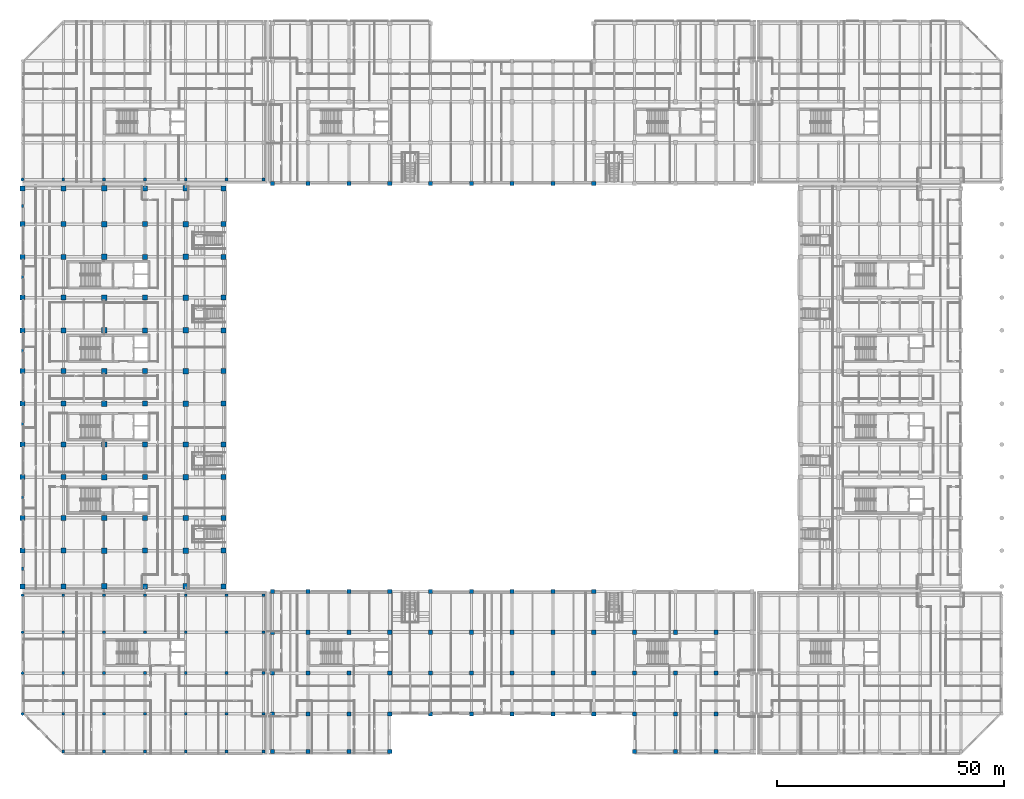
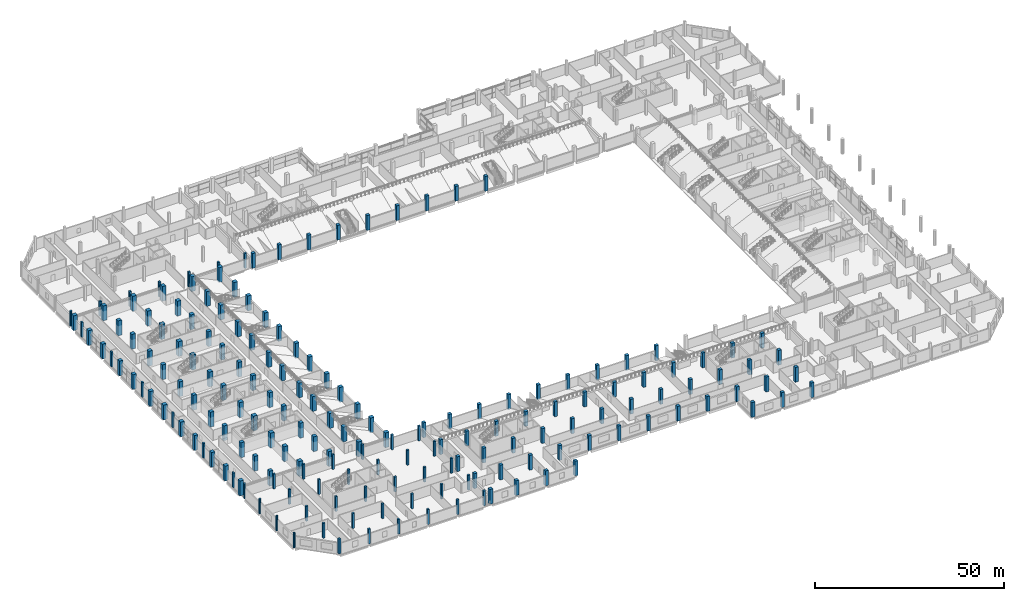
# One storey, part 1 of 100: 180 columns.
"""IFC4 building model written with IfcOpenShell, lengths in metres."""

from ifc_helpers import new_model, si_unit, direction, frame, origin, origin_2d, place, context, subcontext, project, spatial, rectangle, circle, extrude, material, material_profile, profile_set, type_object, element, save


model = new_model("IFC4")

# Units and contexts
model_context = context("Model", 3, precision=1e-05, world=origin(), true_north=direction((0.0, 1.0)))
body_context = subcontext(model_context, "Body", "Model", "MODEL_VIEW")
ifc_project = project(units=[si_unit("LENGTHUNIT", "METRE"), si_unit("AREAUNIT", "SQUARE_METRE"), si_unit("VOLUMEUNIT", "CUBIC_METRE"), si_unit("PLANEANGLEUNIT", "RADIAN"), si_unit("MASSUNIT", "GRAM", prefix="KILO"), si_unit("THERMODYNAMICTEMPERATUREUNIT", "KELVIN"), si_unit("POWERUNIT", "WATT")], contexts=[model_context])

# Site, building, storey
site_placement = place(None, origin())
site = spatial("IfcSite", under=ifc_project, at=site_placement, CompositionType="ELEMENT")
building_placement = place(site_placement, origin())
building = spatial("IfcBuilding", under=site, at=building_placement, Name="Sindhuravela Promenade Stadium", CompositionType="ELEMENT")
storey_placement = place(building_placement, frame((0.0, 0.0, 4.800048828125)))
storey = spatial("IfcBuildingStorey", under=building, at=storey_placement, Name="L01", CompositionType="ELEMENT", Elevation=4.800048828125)

# Columns
ifc_material_1 = material(Name="Concrete M50", Category="concrete")
ifc_material_profile_1 = material_profile(ifc_material_1, rectangle(XDim=1.10009765625, YDim=1.10009765625, at=origin_2d()), Name="RC 1100x1100")
ifc_profile_set_1 = profile_set([ifc_material_profile_1], Name="Concrete M50")
column_type_1 = type_object("IfcColumnType", Name="RC-CL-1100x1100", PredefinedType="COLUMN", material=ifc_profile_set_1)
for number, where, z_axis, x_axis, name in (
    (1, (0.0, 37.10009765625, 0.0), (0.0, 0.0, 1.0), (1.0, 0.0, 0.0), "Column C04 WEST L01"),
    (2, (0.0, 45.0, 0.0), (0.0, 0.0, 1.0), (1.0, 0.0, 0.0), "Column C04 WEST L01"),
    (3, (0.0, 52.199951171875, 0.0), (0.0, 0.0, 1.0), (1.0, 0.0, 0.0), "Column C04 WEST L01"),
    (4, (0.0, 61.199951171875, 0.0), (0.0, 0.0, 1.0), (1.0, 0.0, 0.0), "Column C04 WEST L01"),
    (5, (0.0, 68.39990234375, 0.0), (0.0, 0.0, 1.0), (1.0, 0.0, 0.0), "Column C04 WEST L01"),
    (6, (0.0, 77.39990234375, 0.0), (0.0, 0.0, 1.0), (1.0, 0.0, 0.0), "Column C04 WEST L01"),
    (7, (0.0, 84.60009765625, 0.0), (0.0, 0.0, 1.0), (1.0, 0.0, 0.0), "Column C04 WEST L01"),
    (8, (0.0, 93.60009765625, 0.0), (0.0, 0.0, 1.0), (1.0, 0.0, 0.0), "Column C04 WEST L01"),
    (9, (0.0, 100.800048828125, 0.0), (0.0, 0.0, 1.0), (1.0, 0.0, 0.0), "Column C04 WEST L01"),
    (10, (0.0, 109.800048828125, 0.0), (0.0, 0.0, 1.0), (1.0, 0.0, 0.0), "Column C04 WEST L01"),
    (11, (0.0, 117.0, 0.0), (0.0, 0.0, 1.0), (1.0, 0.0, 0.0), "Column C04 WEST L01"),
    (12, (0.0, 124.89990234375, 0.0), (0.0, 0.0, 1.0), (1.0, 0.0, 0.0), "Column C04 WEST L01"),
    (13, (9.0, 37.10009765625, 0.0), (0.0, 0.0, 1.0), (1.0, 0.0, 0.0), "Column C04 WEST L01"),
    (14, (9.0, 45.0, 0.0), (0.0, 0.0, 1.0), (1.0, 0.0, 0.0), "Column C04 WEST L01"),
    (15, (9.0, 52.199951171875, 0.0), (0.0, 0.0, 1.0), (1.0, 0.0, 0.0), "Column C04 WEST L01"),
    (16, (9.0, 61.199951171875, 0.0), (0.0, 0.0, 1.0), (1.0, 0.0, 0.0), "Column C04 WEST L01"),
    (17, (9.0, 68.39990234375, 0.0), (0.0, 0.0, 1.0), (1.0, 0.0, 0.0), "Column C04 WEST L01"),
    (18, (9.0, 77.39990234375, 0.0), (0.0, 0.0, 1.0), (1.0, 0.0, 0.0), "Column C04 WEST L01"),
    (19, (9.0, 84.60009765625, 0.0), (0.0, 0.0, 1.0), (1.0, 0.0, 0.0), "Column C04 WEST L01"),
    (20, (9.0, 93.60009765625, 0.0), (0.0, 0.0, 1.0), (1.0, 0.0, 0.0), "Column C04 WEST L01"),
    (21, (9.0, 100.800048828125, 0.0), (0.0, 0.0, 1.0), (1.0, 0.0, 0.0), "Column C04 WEST L01"),
    (22, (9.0, 109.800048828125, 0.0), (0.0, 0.0, 1.0), (1.0, 0.0, 0.0), "Column C04 WEST L01"),
    (23, (9.0, 117.0, 0.0), (0.0, 0.0, 1.0), (1.0, 0.0, 0.0), "Column C04 WEST L01"),
    (24, (9.0, 124.89990234375, 0.0), (0.0, 0.0, 1.0), (1.0, 0.0, 0.0), "Column C04 WEST L01"),
    (25, (27.0, 37.10009765625, 0.0), (0.0, 0.0, 1.0), (1.0, 0.0, 0.0), "Column C04 WEST L01"),
    (26, (27.0, 45.0, 0.0), (0.0, 0.0, 1.0), (1.0, 0.0, 0.0), "Column C04 WEST L01"),
    (27, (27.0, 52.199951171875, 0.0), (0.0, 0.0, 1.0), (1.0, 0.0, 0.0), "Column C04 WEST L01"),
    (28, (27.0, 61.199951171875, 0.0), (0.0, 0.0, 1.0), (1.0, 0.0, 0.0), "Column C04 WEST L01"),
    (29, (27.0, 68.39990234375, 0.0), (0.0, 0.0, 1.0), (1.0, 0.0, 0.0), "Column C04 WEST L01"),
    (30, (27.0, 77.39990234375, 0.0), (0.0, 0.0, 1.0), (1.0, 0.0, 0.0), "Column C04 WEST L01"),
    (31, (27.0, 84.60009765625, 0.0), (0.0, 0.0, 1.0), (1.0, 0.0, 0.0), "Column C04 WEST L01"),
    (32, (27.0, 93.60009765625, 0.0), (0.0, 0.0, 1.0), (1.0, 0.0, 0.0), "Column C04 WEST L01"),
    (33, (27.0, 100.800048828125, 0.0), (0.0, 0.0, 1.0), (1.0, 0.0, 0.0), "Column C04 WEST L01"),
    (34, (27.0, 109.800048828125, 0.0), (0.0, 0.0, 1.0), (1.0, 0.0, 0.0), "Column C04 WEST L01"),
    (35, (27.0, 117.0, 0.0), (0.0, 0.0, 1.0), (1.0, 0.0, 0.0), "Column C04 WEST L01"),
    (36, (27.0, 124.89990234375, 0.0), (0.0, 0.0, 1.0), (1.0, 0.0, 0.0), "Column C04 WEST L01"),
    (37, (44.300048828125, 37.10009765625, 0.0), (0.0, 0.0, 1.0), (1.0, 0.0, 0.0), "Column C04 WEST L01"),
    (38, (44.300048828125, 45.0, 0.0), (0.0, 0.0, 1.0), (1.0, 0.0, 0.0), "Column C04 WEST L01"),
    (39, (44.300048828125, 52.199951171875, 0.0), (0.0, 0.0, 1.0), (1.0, 0.0, 0.0), "Column C04 WEST L01"),
    (40, (44.300048828125, 61.199951171875, 0.0), (0.0, 0.0, 1.0), (1.0, 0.0, 0.0), "Column C04 WEST L01"),
    (41, (44.300048828125, 68.39990234375, 0.0), (0.0, 0.0, 1.0), (1.0, 0.0, 0.0), "Column C04 WEST L01"),
    (42, (44.300048828125, 77.39990234375, 0.0), (0.0, 0.0, 1.0), (1.0, 0.0, 0.0), "Column C04 WEST L01"),
    (43, (44.300048828125, 84.60009765625, 0.0), (0.0, 0.0, 1.0), (1.0, 0.0, 0.0), "Column C04 WEST L01"),
    (44, (44.300048828125, 93.60009765625, 0.0), (0.0, 0.0, 1.0), (1.0, 0.0, 0.0), "Column C04 WEST L01"),
    (45, (44.300048828125, 100.800048828125, 0.0), (0.0, 0.0, 1.0), (1.0, 0.0, 0.0), "Column C04 WEST L01"),
    (46, (44.300048828125, 109.800048828125, 0.0), (0.0, 0.0, 1.0), (1.0, 0.0, 0.0), "Column C04 WEST L01"),
    (47, (44.300048828125, 117.0, 0.0), (0.0, 0.0, 1.0), (1.0, 0.0, 0.0), "Column C04 WEST L01"),
    (48, (44.300048828125, 124.89990234375, 0.0), (0.0, 0.0, 1.0), (1.0, 0.0, 0.0), "Column C04 WEST L01"),
):
    element("IfcColumn", number, at=place(storey_placement, frame(where, z_axis=z_axis, x_axis=x_axis)), inside=storey, type_object=column_type_1, Name=name, PredefinedType="COLUMN", context=body_context, shape_type="SweptSolid", body=[
        extrude(rectangle(XDim=1.10009765625, YDim=1.10009765625, at=origin_2d()), origin(), (0.0, 0.0, 1.0), 4.800048828125),
    ])
ifc_material_profile_2 = material_profile(ifc_material_1, rectangle(XDim=1.199951171875, YDim=1.199951171875, at=origin_2d()), Name="RC 1200x1200")
ifc_profile_set_2 = profile_set([ifc_material_profile_2], Name="Concrete M50")
column_type_2 = type_object("IfcColumnType", Name="RC-CL-1200x1200", PredefinedType="COLUMN", material=ifc_profile_set_2)
for number, where, z_axis, x_axis, name in (
    (49, (18.0, 37.10009765625, 0.0), (0.0, 0.0, 1.0), (1.0, 0.0, 0.0), "Column C02 WEST L01"),
    (50, (18.0, 45.0, 0.0), (0.0, 0.0, 1.0), (1.0, 0.0, 0.0), "Column C02 WEST L01"),
    (51, (18.0, 52.199951171875, 0.0), (0.0, 0.0, 1.0), (1.0, 0.0, 0.0), "Column C02 WEST L01"),
    (52, (18.0, 61.199951171875, 0.0), (0.0, 0.0, 1.0), (1.0, 0.0, 0.0), "Column C02 WEST L01"),
    (53, (18.0, 68.39990234375, 0.0), (0.0, 0.0, 1.0), (1.0, 0.0, 0.0), "Column C02 WEST L01"),
    (54, (18.0, 77.39990234375, 0.0), (0.0, 0.0, 1.0), (1.0, 0.0, 0.0), "Column C02 WEST L01"),
    (55, (18.0, 84.60009765625, 0.0), (0.0, 0.0, 1.0), (1.0, 0.0, 0.0), "Column C02 WEST L01"),
    (56, (18.0, 93.60009765625, 0.0), (0.0, 0.0, 1.0), (1.0, 0.0, 0.0), "Column C02 WEST L01"),
    (57, (18.0, 100.800048828125, 0.0), (0.0, 0.0, 1.0), (1.0, 0.0, 0.0), "Column C02 WEST L01"),
    (58, (18.0, 109.800048828125, 0.0), (0.0, 0.0, 1.0), (1.0, 0.0, 0.0), "Column C02 WEST L01"),
    (59, (18.0, 117.0, 0.0), (0.0, 0.0, 1.0), (1.0, 0.0, 0.0), "Column C02 WEST L01"),
    (60, (18.0, 124.89990234375, 0.0), (0.0, 0.0, 1.0), (1.0, 0.0, 0.0), "Column C02 WEST L01"),
    (61, (36.0, 37.10009765625, 0.0), (0.0, 0.0, 1.0), (1.0, 0.0, 0.0), "Column C02 WEST L01"),
    (62, (36.0, 45.0, 0.0), (0.0, 0.0, 1.0), (1.0, 0.0, 0.0), "Column C02 WEST L01"),
    (63, (36.0, 52.199951171875, 0.0), (0.0, 0.0, 1.0), (1.0, 0.0, 0.0), "Column C02 WEST L01"),
    (64, (36.0, 61.199951171875, 0.0), (0.0, 0.0, 1.0), (1.0, 0.0, 0.0), "Column C02 WEST L01"),
    (65, (36.0, 68.39990234375, 0.0), (0.0, 0.0, 1.0), (1.0, 0.0, 0.0), "Column C02 WEST L01"),
    (66, (36.0, 77.39990234375, 0.0), (0.0, 0.0, 1.0), (1.0, 0.0, 0.0), "Column C02 WEST L01"),
    (67, (36.0, 84.60009765625, 0.0), (0.0, 0.0, 1.0), (1.0, 0.0, 0.0), "Column C02 WEST L01"),
    (68, (36.0, 93.60009765625, 0.0), (0.0, 0.0, 1.0), (1.0, 0.0, 0.0), "Column C02 WEST L01"),
    (69, (36.0, 100.800048828125, 0.0), (0.0, 0.0, 1.0), (1.0, 0.0, 0.0), "Column C02 WEST L01"),
    (70, (36.0, 109.800048828125, 0.0), (0.0, 0.0, 1.0), (1.0, 0.0, 0.0), "Column C02 WEST L01"),
    (71, (36.0, 117.0, 0.0), (0.0, 0.0, 1.0), (1.0, 0.0, 0.0), "Column C02 WEST L01"),
    (72, (36.0, 124.89990234375, 0.0), (0.0, 0.0, 1.0), (1.0, 0.0, 0.0), "Column C02 WEST L01"),
):
    element("IfcColumn", number, at=place(storey_placement, frame(where, z_axis=z_axis, x_axis=x_axis)), inside=storey, type_object=column_type_2, Name=name, PredefinedType="COLUMN", context=body_context, shape_type="SweptSolid", body=[
        extrude(rectangle(XDim=1.199951171875, YDim=1.199951171875, at=origin_2d()), origin(), (0.0, 0.0, 1.0), 4.800048828125),
    ])
ifc_material_2 = material(Name="Concrete M40", Category="concrete")
ifc_material_profile_3 = material_profile(ifc_material_2, rectangle(XDim=0.60009765625, YDim=0.60009765625, at=origin_2d()), Name="RC 600x600")
ifc_profile_set_3 = profile_set([ifc_material_profile_3], Name="Concrete M40")
column_type_3 = type_object("IfcColumnType", Name="RC-CL-600x600", PredefinedType="COLUMN", material=ifc_profile_set_3)
for number, where, z_axis, x_axis, name in (
    (73, (9.0, 0.699951171875, 0.0), (0.0, 0.0, 1.0), (1.0, 0.0, 0.0), "Column C17 Pavilion SW L01"),
    (74, (9.0, 9.0, 0.0), (0.0, 0.0, 1.0), (1.0, 0.0, 0.0), "Column C17 Pavilion SW L01"),
    (75, (9.0, 18.0, 0.0), (0.0, 0.0, 1.0), (1.0, 0.0, 0.0), "Column C17 Pavilion SW L01"),
    (76, (9.0, 27.0, 0.0), (0.0, 0.0, 1.0), (1.0, 0.0, 0.0), "Column C17 Pavilion SW L01"),
    (77, (9.0, 35.14990234375, 0.0), (0.0, 0.0, 1.0), (1.0, 0.0, 0.0), "Column C17 Pavilion SW L01"),
    (78, (18.0, 0.699951171875, 0.0), (0.0, 0.0, 1.0), (1.0, 0.0, 0.0), "Column C17 Pavilion SW L01"),
    (79, (18.0, 9.0, 0.0), (0.0, 0.0, 1.0), (1.0, 0.0, 0.0), "Column C17 Pavilion SW L01"),
    (80, (18.0, 18.0, 0.0), (0.0, 0.0, 1.0), (1.0, 0.0, 0.0), "Column C17 Pavilion SW L01"),
    (81, (18.0, 27.0, 0.0), (0.0, 0.0, 1.0), (1.0, 0.0, 0.0), "Column C17 Pavilion SW L01"),
    (82, (18.0, 35.14990234375, 0.0), (0.0, 0.0, 1.0), (1.0, 0.0, 0.0), "Column C17 Pavilion SW L01"),
    (83, (27.0, 0.699951171875, 0.0), (0.0, 0.0, 1.0), (1.0, 0.0, 0.0), "Column C17 Pavilion SW L01"),
    (84, (27.0, 9.0, 0.0), (0.0, 0.0, 1.0), (1.0, 0.0, 0.0), "Column C17 Pavilion SW L01"),
    (85, (27.0, 18.0, 0.0), (0.0, 0.0, 1.0), (1.0, 0.0, 0.0), "Column C17 Pavilion SW L01"),
    (86, (27.0, 27.0, 0.0), (0.0, 0.0, 1.0), (1.0, 0.0, 0.0), "Column C17 Pavilion SW L01"),
    (87, (27.0, 35.14990234375, 0.0), (0.0, 0.0, 1.0), (1.0, 0.0, 0.0), "Column C17 Pavilion SW L01"),
    (88, (36.0, 0.699951171875, 0.0), (0.0, 0.0, 1.0), (1.0, 0.0, 0.0), "Column C17 Pavilion SW L01"),
    (89, (36.0, 9.0, 0.0), (0.0, 0.0, 1.0), (1.0, 0.0, 0.0), "Column C17 Pavilion SW L01"),
    (90, (36.0, 18.0, 0.0), (0.0, 0.0, 1.0), (1.0, 0.0, 0.0), "Column C17 Pavilion SW L01"),
    (91, (36.0, 27.0, 0.0), (0.0, 0.0, 1.0), (1.0, 0.0, 0.0), "Column C17 Pavilion SW L01"),
    (92, (36.0, 35.14990234375, 0.0), (0.0, 0.0, 1.0), (1.0, 0.0, 0.0), "Column C17 Pavilion SW L01"),
    (93, (45.0, 0.699951171875, 0.0), (0.0, 0.0, 1.0), (1.0, 0.0, 0.0), "Column C17 Pavilion SW L01"),
    (94, (45.0, 9.0, 0.0), (0.0, 0.0, 1.0), (1.0, 0.0, 0.0), "Column C17 Pavilion SW L01"),
    (95, (45.0, 18.0, 0.0), (0.0, 0.0, 1.0), (1.0, 0.0, 0.0), "Column C17 Pavilion SW L01"),
    (96, (45.0, 27.0, 0.0), (0.0, 0.0, 1.0), (1.0, 0.0, 0.0), "Column C17 Pavilion SW L01"),
    (97, (45.0, 35.14990234375, 0.0), (0.0, 0.0, 1.0), (1.0, 0.0, 0.0), "Column C17 Pavilion SW L01"),
    (98, (53.14990234375, 0.699951171875, 0.0), (0.0, 0.0, 1.0), (1.0, 0.0, 0.0), "Column C17 Pavilion SW L01"),
    (99, (53.14990234375, 9.0, 0.0), (0.0, 0.0, 1.0), (1.0, 0.0, 0.0), "Column C17 Pavilion SW L01"),
    (100, (53.14990234375, 18.0, 0.0), (0.0, 0.0, 1.0), (1.0, 0.0, 0.0), "Column C17 Pavilion SW L01"),
    (101, (53.14990234375, 27.0, 0.0), (0.0, 0.0, 1.0), (1.0, 0.0, 0.0), "Column C17 Pavilion SW L01"),
    (102, (53.14990234375, 35.14990234375, 0.0), (0.0, 0.0, 1.0), (1.0, 0.0, 0.0), "Column C17 Pavilion SW L01"),
    (103, (9.0, 126.85009765625, 0.0), (0.0, 0.0, 1.0), (1.0, 0.0, 0.0), "Column C17 Pavilion NW L01"),
    (104, (18.0, 126.85009765625, 0.0), (0.0, 0.0, 1.0), (1.0, 0.0, 0.0), "Column C17 Pavilion NW L01"),
    (105, (27.0, 126.85009765625, 0.0), (0.0, 0.0, 1.0), (1.0, 0.0, 0.0), "Column C17 Pavilion NW L01"),
    (106, (36.0, 126.85009765625, 0.0), (0.0, 0.0, 1.0), (1.0, 0.0, 0.0), "Column C17 Pavilion NW L01"),
    (107, (45.0, 126.85009765625, 0.0), (0.0, 0.0, 1.0), (1.0, 0.0, 0.0), "Column C17 Pavilion NW L01"),
    (108, (53.14990234375, 126.85009765625, 0.0), (0.0, 0.0, 1.0), (1.0, 0.0, 0.0), "Column C17 Pavilion NW L01"),
):
    element("IfcColumn", number, at=place(storey_placement, frame(where, z_axis=z_axis, x_axis=x_axis)), inside=storey, type_object=column_type_3, Name=name, PredefinedType="COLUMN", context=body_context, shape_type="SweptSolid", body=[
        extrude(rectangle(XDim=0.60009765625, YDim=0.60009765625, at=origin_2d()), origin(), (0.0, 0.0, 1.0), 4.800048828125),
    ])
ifc_material_profile_4 = material_profile(ifc_material_2, rectangle(XDim=0.89990234375, YDim=0.89990234375, at=origin_2d()), Name="RC 900x900")
ifc_profile_set_4 = profile_set([ifc_material_profile_4], Name="Concrete M40")
column_type_4 = type_object("IfcColumnType", Name="RC-CL-900x900", PredefinedType="COLUMN", material=ifc_profile_set_4)
for number, where, z_axis, x_axis, name in (
    (109, (55.10009765625, 126.0, 0.0), (0.0, 0.0, 1.0), (1.0, 0.0, 0.0), "Column C08 NORTH L01"),
    (110, (63.0, 126.0, 0.0), (0.0, 0.0, 1.0), (1.0, 0.0, 0.0), "Column C08 NORTH L01"),
    (111, (72.0, 126.0, 0.0), (0.0, 0.0, 1.0), (1.0, 0.0, 0.0), "Column C08 NORTH L01"),
    (112, (81.0, 126.0, 0.0), (0.0, 0.0, 1.0), (1.0, 0.0, 0.0), "Column C08 NORTH L01"),
    (113, (90.0, 126.0, 0.0), (0.0, 0.0, 1.0), (1.0, 0.0, 0.0), "Column C08 NORTH L01"),
    (114, (99.0, 126.0, 0.0), (0.0, 0.0, 1.0), (1.0, 0.0, 0.0), "Column C08 NORTH L01"),
    (115, (108.0, 126.0, 0.0), (0.0, 0.0, 1.0), (1.0, 0.0, 0.0), "Column C08 NORTH L01"),
    (116, (117.0, 126.0, 0.0), (0.0, 0.0, 1.0), (1.0, 0.0, 0.0), "Column C08 NORTH L01"),
    (117, (126.0, 126.0, 0.0), (0.0, 0.0, 1.0), (1.0, 0.0, 0.0), "Column C08 NORTH L01"),
    (118, (55.10009765625, 0.699951171875, 0.0), (0.0, 0.0, 1.0), (1.0, 0.0, 0.0), "Column C08 SOUTH L01"),
    (119, (55.10009765625, 9.0, 0.0), (0.0, 0.0, 1.0), (1.0, 0.0, 0.0), "Column C08 SOUTH L01"),
    (120, (55.10009765625, 18.0, 0.0), (0.0, 0.0, 1.0), (1.0, 0.0, 0.0), "Column C08 SOUTH L01"),
    (121, (55.10009765625, 27.0, 0.0), (0.0, 0.0, 1.0), (1.0, 0.0, 0.0), "Column C08 SOUTH L01"),
    (122, (55.10009765625, 36.0, 0.0), (0.0, 0.0, 1.0), (1.0, 0.0, 0.0), "Column C08 SOUTH L01"),
    (123, (63.0, 0.699951171875, 0.0), (0.0, 0.0, 1.0), (1.0, 0.0, 0.0), "Column C08 SOUTH L01"),
    (124, (63.0, 9.0, 0.0), (0.0, 0.0, 1.0), (1.0, 0.0, 0.0), "Column C08 SOUTH L01"),
    (125, (63.0, 18.0, 0.0), (0.0, 0.0, 1.0), (1.0, 0.0, 0.0), "Column C08 SOUTH L01"),
    (126, (63.0, 27.0, 0.0), (0.0, 0.0, 1.0), (1.0, 0.0, 0.0), "Column C08 SOUTH L01"),
    (127, (63.0, 36.0, 0.0), (0.0, 0.0, 1.0), (1.0, 0.0, 0.0), "Column C08 SOUTH L01"),
    (128, (72.0, 0.699951171875, 0.0), (0.0, 0.0, 1.0), (1.0, 0.0, 0.0), "Column C08 SOUTH L01"),
    (129, (72.0, 9.0, 0.0), (0.0, 0.0, 1.0), (1.0, 0.0, 0.0), "Column C08 SOUTH L01"),
    (130, (72.0, 18.0, 0.0), (0.0, 0.0, 1.0), (1.0, 0.0, 0.0), "Column C08 SOUTH L01"),
    (131, (72.0, 27.0, 0.0), (0.0, 0.0, 1.0), (1.0, 0.0, 0.0), "Column C08 SOUTH L01"),
    (132, (72.0, 36.0, 0.0), (0.0, 0.0, 1.0), (1.0, 0.0, 0.0), "Column C08 SOUTH L01"),
    (133, (81.0, 0.699951171875, 0.0), (0.0, 0.0, 1.0), (1.0, 0.0, 0.0), "Column C08 SOUTH L01"),
    (134, (81.0, 9.0, 0.0), (0.0, 0.0, 1.0), (1.0, 0.0, 0.0), "Column C08 SOUTH L01"),
    (135, (81.0, 18.0, 0.0), (0.0, 0.0, 1.0), (1.0, 0.0, 0.0), "Column C08 SOUTH L01"),
    (136, (81.0, 27.0, 0.0), (0.0, 0.0, 1.0), (1.0, 0.0, 0.0), "Column C08 SOUTH L01"),
    (137, (81.0, 36.0, 0.0), (0.0, 0.0, 1.0), (1.0, 0.0, 0.0), "Column C08 SOUTH L01"),
    (138, (90.0, 9.0, 0.0), (0.0, 0.0, 1.0), (1.0, 0.0, 0.0), "Column C08 SOUTH L01"),
    (139, (90.0, 18.0, 0.0), (0.0, 0.0, 1.0), (1.0, 0.0, 0.0), "Column C08 SOUTH L01"),
    (140, (90.0, 27.0, 0.0), (0.0, 0.0, 1.0), (1.0, 0.0, 0.0), "Column C08 SOUTH L01"),
    (141, (90.0, 36.0, 0.0), (0.0, 0.0, 1.0), (1.0, 0.0, 0.0), "Column C08 SOUTH L01"),
    (142, (99.0, 9.0, 0.0), (0.0, 0.0, 1.0), (1.0, 0.0, 0.0), "Column C08 SOUTH L01"),
    (143, (99.0, 18.0, 0.0), (0.0, 0.0, 1.0), (1.0, 0.0, 0.0), "Column C08 SOUTH L01"),
    (144, (99.0, 27.0, 0.0), (0.0, 0.0, 1.0), (1.0, 0.0, 0.0), "Column C08 SOUTH L01"),
    (145, (99.0, 36.0, 0.0), (0.0, 0.0, 1.0), (1.0, 0.0, 0.0), "Column C08 SOUTH L01"),
    (146, (108.0, 9.0, 0.0), (0.0, 0.0, 1.0), (1.0, 0.0, 0.0), "Column C08 SOUTH L01"),
    (147, (108.0, 18.0, 0.0), (0.0, 0.0, 1.0), (1.0, 0.0, 0.0), "Column C08 SOUTH L01"),
    (148, (108.0, 27.0, 0.0), (0.0, 0.0, 1.0), (1.0, 0.0, 0.0), "Column C08 SOUTH L01"),
    (149, (108.0, 36.0, 0.0), (0.0, 0.0, 1.0), (1.0, 0.0, 0.0), "Column C08 SOUTH L01"),
    (150, (117.0, 9.0, 0.0), (0.0, 0.0, 1.0), (1.0, 0.0, 0.0), "Column C08 SOUTH L01"),
    (151, (117.0, 18.0, 0.0), (0.0, 0.0, 1.0), (1.0, 0.0, 0.0), "Column C08 SOUTH L01"),
    (152, (117.0, 27.0, 0.0), (0.0, 0.0, 1.0), (1.0, 0.0, 0.0), "Column C08 SOUTH L01"),
    (153, (117.0, 36.0, 0.0), (0.0, 0.0, 1.0), (1.0, 0.0, 0.0), "Column C08 SOUTH L01"),
    (154, (126.0, 9.0, 0.0), (0.0, 0.0, 1.0), (1.0, 0.0, 0.0), "Column C08 SOUTH L01"),
    (155, (126.0, 18.0, 0.0), (0.0, 0.0, 1.0), (1.0, 0.0, 0.0), "Column C08 SOUTH L01"),
    (156, (126.0, 27.0, 0.0), (0.0, 0.0, 1.0), (1.0, 0.0, 0.0), "Column C08 SOUTH L01"),
    (157, (126.0, 36.0, 0.0), (0.0, 0.0, 1.0), (1.0, 0.0, 0.0), "Column C08 SOUTH L01"),
    (158, (135.0, 0.699951171875, 0.0), (0.0, 0.0, 1.0), (1.0, 0.0, 0.0), "Column C08 SOUTH L01"),
    (159, (135.0, 9.0, 0.0), (0.0, 0.0, 1.0), (1.0, 0.0, 0.0), "Column C08 SOUTH L01"),
    (160, (135.0, 18.0, 0.0), (0.0, 0.0, 1.0), (1.0, 0.0, 0.0), "Column C08 SOUTH L01"),
    (161, (135.0, 27.0, 0.0), (0.0, 0.0, 1.0), (1.0, 0.0, 0.0), "Column C08 SOUTH L01"),
    (162, (144.0, 0.699951171875, 0.0), (0.0, 0.0, 1.0), (1.0, 0.0, 0.0), "Column C08 SOUTH L01"),
    (163, (144.0, 9.0, 0.0), (0.0, 0.0, 1.0), (1.0, 0.0, 0.0), "Column C08 SOUTH L01"),
    (164, (144.0, 18.0, 0.0), (0.0, 0.0, 1.0), (1.0, 0.0, 0.0), "Column C08 SOUTH L01"),
    (165, (144.0, 27.0, 0.0), (0.0, 0.0, 1.0), (1.0, 0.0, 0.0), "Column C08 SOUTH L01"),
    (166, (153.0, 0.699951171875, 0.0), (0.0, 0.0, 1.0), (1.0, 0.0, 0.0), "Column C08 SOUTH L01"),
    (167, (153.0, 9.0, 0.0), (0.0, 0.0, 1.0), (1.0, 0.0, 0.0), "Column C08 SOUTH L01"),
    (168, (153.0, 18.0, 0.0), (0.0, 0.0, 1.0), (1.0, 0.0, 0.0), "Column C08 SOUTH L01"),
    (169, (153.0, 27.0, 0.0), (0.0, 0.0, 1.0), (1.0, 0.0, 0.0), "Column C08 SOUTH L01"),
):
    element("IfcColumn", number, at=place(storey_placement, frame(where, z_axis=z_axis, x_axis=x_axis)), inside=storey, type_object=column_type_4, Name=name, PredefinedType="COLUMN", context=body_context, shape_type="SweptSolid", body=[
        extrude(rectangle(XDim=0.89990234375, YDim=0.89990234375, at=origin_2d()), origin(), (0.0, 0.0, 1.0), 4.800048828125),
    ])
ifc_material_profile_5 = material_profile(ifc_material_2, circle(Radius=0.324951171875, at=origin_2d()), Name="RC D650")
ifc_profile_set_5 = profile_set([ifc_material_profile_5], Name="Concrete M40")
column_type_5 = type_object("IfcColumnType", Name="RC-CL-D650", PredefinedType="COLUMN", material=ifc_profile_set_5)
for number, where, z_axis, x_axis, name in (
    (170, (0.0, 9.0, 0.0), (0.0, 0.0, 1.0), (1.0, 0.0, 0.0), "Column CD4 Pavilion SW L01"),
    (171, (0.0, 18.0, 0.0), (0.0, 0.0, 1.0), (1.0, 0.0, 0.0), "Column CD4 Pavilion SW L01"),
    (172, (0.0, 27.0, 0.0), (0.0, 0.0, 1.0), (1.0, 0.0, 0.0), "Column CD4 Pavilion SW L01"),
    (173, (0.0, 35.14990234375, 0.0), (0.0, 0.0, 1.0), (1.0, 0.0, 0.0), "Column CD4 Pavilion SW L01"),
    (174, (0.0, 126.85009765625, 0.0), (0.0, 0.0, 1.0), (1.0, 0.0, 0.0), "Column CD4 Pavilion NW L01"),
):
    element("IfcColumn", number, at=place(storey_placement, frame(where, z_axis=z_axis, x_axis=x_axis)), inside=storey, type_object=column_type_5, Name=name, PredefinedType="COLUMN", context=body_context, shape_type="SweptSolid", body=[
        extrude(circle(Radius=0.324951171875, at=origin_2d()), origin(), (0.0, 0.0, 1.0), 4.800048828125),
    ])
ifc_material_profile_6 = material_profile(ifc_material_2, rectangle(XDim=0.5, YDim=0.699951171875, at=origin_2d()), Name="PIL 500x700")
ifc_profile_set_6 = profile_set([ifc_material_profile_6], Name="Concrete M40")
column_type_6 = type_object("IfcColumnType", Name="RC-PL-500x700", PredefinedType="PILASTER", material=ifc_profile_set_6)
for number, where, z_axis, x_axis, name in (
    (175, (0.0, 41.0, 0.0), (0.0, 0.0, 1.0), (1.0, 0.0, 0.0), "Fluted pilaster PL1 WEST L01"),
    (176, (0.0, 56.699951171875, 0.0), (0.0, 0.0, 1.0), (1.0, 0.0, 0.0), "Fluted pilaster PL1 WEST L01"),
    (177, (0.0, 72.89990234375, 0.0), (0.0, 0.0, 1.0), (1.0, 0.0, 0.0), "Fluted pilaster PL1 WEST L01"),
    (178, (0.0, 89.10009765625, 0.0), (0.0, 0.0, 1.0), (1.0, 0.0, 0.0), "Fluted pilaster PL1 WEST L01"),
    (179, (0.0, 105.300048828125, 0.0), (0.0, 0.0, 1.0), (1.0, 0.0, 0.0), "Fluted pilaster PL1 WEST L01"),
    (180, (0.0, 121.0, 0.0), (0.0, 0.0, 1.0), (1.0, 0.0, 0.0), "Fluted pilaster PL1 WEST L01"),
):
    element("IfcColumn", number, at=place(storey_placement, frame(where, z_axis=z_axis, x_axis=x_axis)), inside=storey, type_object=column_type_6, Name=name, PredefinedType="PILASTER", context=body_context, shape_type="SweptSolid", body=[
        extrude(rectangle(XDim=0.5, YDim=0.699951171875, at=origin_2d()), origin(), (0.0, 0.0, 1.0), 4.800048828125),
    ])

save(model, "model.ifc")
